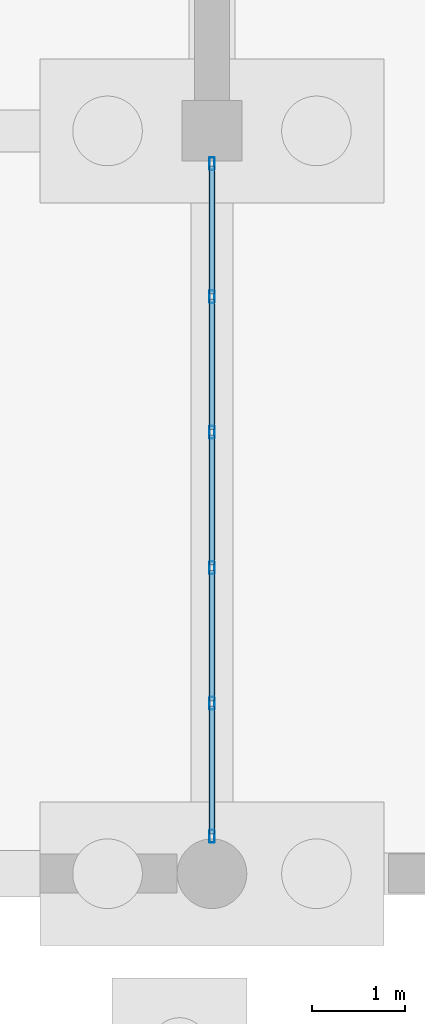
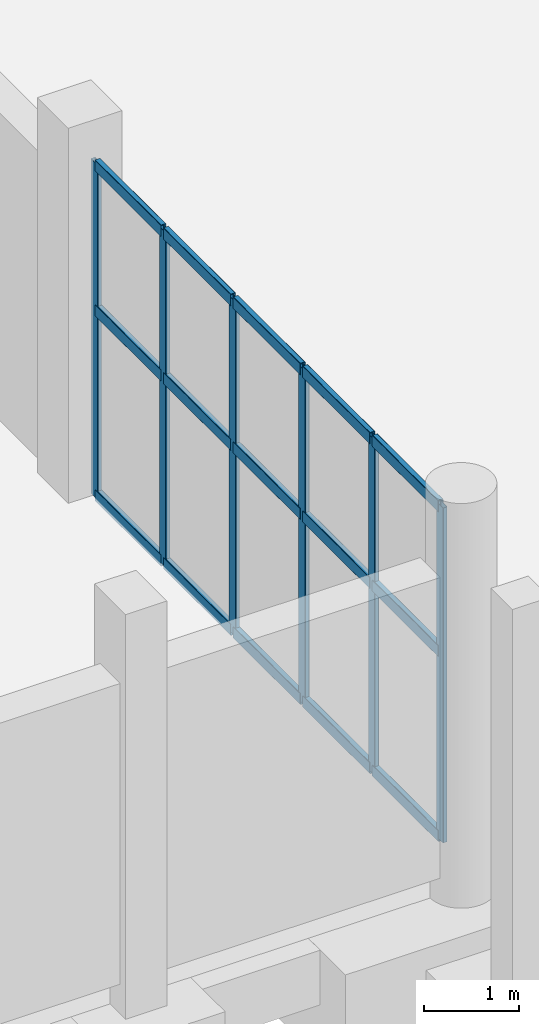
# One storey, part 18 of 52: 21 members, 1 element without a shape of its own.
"""IFC4 building model written with IfcOpenShell, lengths in metres."""

from ifc_helpers import new_model, si_unit, direction, frame, origin, origin_2d, place, context, subcontext, project, spatial, hollow_rectangle, extrude, material, material_profile, profile_set, type_object, element, aggregate, save


model = new_model("IFC4")

# Units and contexts
model_context = context("Model", 3, precision=1e-05, world=origin(), true_north=direction((0.0, 1.0)))
body_context = subcontext(model_context, "Body", "Model", "MODEL_VIEW")
ifc_project = project(units=[si_unit("LENGTHUNIT", "METRE"), si_unit("AREAUNIT", "SQUARE_METRE"), si_unit("VOLUMEUNIT", "CUBIC_METRE"), si_unit("PLANEANGLEUNIT", "RADIAN"), si_unit("MASSUNIT", "GRAM", prefix="KILO")], contexts=[model_context])

# Site, building, storey
site_placement = place(None, origin())
site = spatial("IfcSite", under=ifc_project, at=site_placement, CompositionType="ELEMENT")
building_placement = place(site_placement, origin())
building = spatial("IfcBuilding", under=site, at=building_placement, Name="Luwemba Playhouse", CompositionType="ELEMENT")
storey_placement = place(building_placement, frame((0.0, 0.0, -4.800048828125)))
storey = spatial("IfcBuildingStorey", under=building, at=storey_placement, Name="B1", CompositionType="ELEMENT", Elevation=-4.800048828125)

# Curtain wall, members
ifc_material_1 = material(Name="Solar-control double glazing", Category="glass")
curtain_wall_type = type_object("IfcCurtainWallType", Name="CW-CW02", PredefinedType="USERDEFINED", material=ifc_material_1)
curtain_wall_placement = place(storey_placement, origin())
curtain_wall = element("IfcCurtainWall", 1, at=curtain_wall_placement, inside=storey, type_object=curtain_wall_type, Name="B1 Sunken Forecourt curtain wall 002", ObjectType="UNITISED GLAZING", PredefinedType="USERDEFINED")
ifc_material_2 = material(Name="Aluminium 6063-T6", Category="aluminium")
ifc_material_profile_1 = material_profile(ifc_material_2, hollow_rectangle(XDim=0.054931640625, YDim=0.139892578125, WallThickness=0.00390625, InnerFilletRadius=0.006103515625, OuterFilletRadius=0.010009765625, at=origin_2d()))
ifc_profile_set_1 = profile_set([ifc_material_profile_1], Name="Aluminium 6063-T6")
member_type_1 = type_object("IfcMemberType", Name="CWM-M3", PredefinedType="MULLION", material=ifc_profile_set_1)
member_1_placement = place(storey_placement, frame((60.0, 10.6474609375, 0.0), z_axis=(0.0, 0.0, 1.0), x_axis=(1.0, 0.0, 0.0)))
member_1 = element("IfcMember", 2, at=member_1_placement, type_object=member_type_1, Name="CW02 mullion 1", PredefinedType="MULLION", context=body_context, shape_type="SweptSolid", body=[
    extrude(hollow_rectangle(XDim=0.054931640625, YDim=0.139892578125, WallThickness=0.00390625, InnerFilletRadius=0.006103515625, OuterFilletRadius=0.010009765625, at=origin_2d()), origin(), (0.0, 0.0, 1.0), 4.28515625),
])
member_2_placement = place(storey_placement, frame((60.0, 9.215087890625, 0.0), z_axis=(0.0, 0.0, 1.0), x_axis=(1.0, 0.0, 0.0)))
member_2 = element("IfcMember", 3, at=member_2_placement, type_object=member_type_1, Name="CW02 mullion 2", PredefinedType="MULLION", context=body_context, shape_type="SweptSolid", body=[
    extrude(hollow_rectangle(XDim=0.054931640625, YDim=0.139892578125, WallThickness=0.00390625, InnerFilletRadius=0.006103515625, OuterFilletRadius=0.010009765625, at=origin_2d()), origin(), (0.0, 0.0, 1.0), 4.28515625),
])
member_3_placement = place(storey_placement, frame((60.0, 7.7548828125, 0.0), z_axis=(0.0, 0.0, 1.0), x_axis=(1.0, 0.0, 0.0)))
member_3 = element("IfcMember", 4, at=member_3_placement, type_object=member_type_1, Name="CW02 mullion 3", PredefinedType="MULLION", context=body_context, shape_type="SweptSolid", body=[
    extrude(hollow_rectangle(XDim=0.054931640625, YDim=0.139892578125, WallThickness=0.00390625, InnerFilletRadius=0.006103515625, OuterFilletRadius=0.010009765625, at=origin_2d()), origin(), (0.0, 0.0, 1.0), 4.28515625),
])
member_4_placement = place(storey_placement, frame((60.0, 6.294921875, 0.0), z_axis=(0.0, 0.0, 1.0), x_axis=(1.0, 0.0, 0.0)))
member_4 = element("IfcMember", 5, at=member_4_placement, type_object=member_type_1, Name="CW02 mullion 4", PredefinedType="MULLION", context=body_context, shape_type="SweptSolid", body=[
    extrude(hollow_rectangle(XDim=0.054931640625, YDim=0.139892578125, WallThickness=0.00390625, InnerFilletRadius=0.006103515625, OuterFilletRadius=0.010009765625, at=origin_2d()), origin(), (0.0, 0.0, 1.0), 4.28515625),
])
member_5_placement = place(storey_placement, frame((60.0, 4.8349609375, 0.0), z_axis=(0.0, 0.0, 1.0), x_axis=(1.0, 0.0, 0.0)))
member_5 = element("IfcMember", 6, at=member_5_placement, type_object=member_type_1, Name="CW02 mullion 5", PredefinedType="MULLION", context=body_context, shape_type="SweptSolid", body=[
    extrude(hollow_rectangle(XDim=0.054931640625, YDim=0.139892578125, WallThickness=0.00390625, InnerFilletRadius=0.006103515625, OuterFilletRadius=0.010009765625, at=origin_2d()), origin(), (0.0, 0.0, 1.0), 4.28515625),
])
member_6_placement = place(storey_placement, frame((60.0, 3.402587890625, 0.0), z_axis=(0.0, 0.0, 1.0), x_axis=(1.0, 0.0, 0.0)))
member_6 = element("IfcMember", 7, at=member_6_placement, type_object=member_type_1, Name="CW02 mullion 6", PredefinedType="MULLION", context=body_context, shape_type="SweptSolid", body=[
    extrude(hollow_rectangle(XDim=0.054931640625, YDim=0.139892578125, WallThickness=0.00390625, InnerFilletRadius=0.006103515625, OuterFilletRadius=0.010009765625, at=origin_2d()), origin(), (0.0, 0.0, 1.0), 4.28515625),
])
ifc_material_profile_2 = material_profile(ifc_material_2, hollow_rectangle(XDim=0.06494140625, YDim=0.14990234375, WallThickness=0.00390625, InnerFilletRadius=0.006103515625, OuterFilletRadius=0.010009765625, at=origin_2d()))
ifc_profile_set_2 = profile_set([ifc_material_profile_2], Name="Aluminium 6063-T6")
member_type_2 = type_object("IfcMemberType", Name="CWT-T3", PredefinedType="USERDEFINED", material=ifc_profile_set_2)
member_7_placement = place(storey_placement, frame((60.0, 10.6201171875, 0.032470703125), z_axis=(0.0, -1.0, 0.0), x_axis=(1.0, 0.0, 0.0)))
member_7 = element("IfcMember", 8, at=member_7_placement, type_object=member_type_2, Name="CW02 transom 1.1", ObjectType="TRANSOM", PredefinedType="USERDEFINED", context=body_context, shape_type="SweptSolid", body=[
    extrude(hollow_rectangle(XDim=0.06494140625, YDim=0.14990234375, WallThickness=0.00390625, InnerFilletRadius=0.006103515625, OuterFilletRadius=0.010009765625, at=origin_2d()), origin(), (0.0, 0.0, 1.0), 1.377685546875),
])
member_8_placement = place(storey_placement, frame((60.0, 10.6201171875, 2.400146484375), z_axis=(0.0, -1.0, 0.0), x_axis=(1.0, 0.0, 0.0)))
member_8 = element("IfcMember", 9, at=member_8_placement, type_object=member_type_2, Name="CW02 transom 1.2", ObjectType="TRANSOM", PredefinedType="USERDEFINED", context=body_context, shape_type="SweptSolid", body=[
    extrude(hollow_rectangle(XDim=0.06494140625, YDim=0.14990234375, WallThickness=0.00390625, InnerFilletRadius=0.006103515625, OuterFilletRadius=0.010009765625, at=origin_2d()), origin(), (0.0, 0.0, 1.0), 1.377685546875),
])
member_9_placement = place(storey_placement, frame((60.0, 10.6201171875, 4.25244140625), z_axis=(0.0, -1.0, 0.0), x_axis=(1.0, 0.0, 0.0)))
member_9 = element("IfcMember", 10, at=member_9_placement, type_object=member_type_2, Name="CW02 transom 1.3", ObjectType="TRANSOM", PredefinedType="USERDEFINED", context=body_context, shape_type="SweptSolid", body=[
    extrude(hollow_rectangle(XDim=0.06494140625, YDim=0.14990234375, WallThickness=0.00390625, InnerFilletRadius=0.006103515625, OuterFilletRadius=0.010009765625, at=origin_2d()), origin(), (0.0, 0.0, 1.0), 1.377685546875),
])
member_10_placement = place(storey_placement, frame((60.0, 9.1875, 0.032470703125), z_axis=(0.0, -1.0, 0.0), x_axis=(1.0, 0.0, 0.0)))
member_10 = element("IfcMember", 11, at=member_10_placement, type_object=member_type_2, Name="CW02 transom 2.1", ObjectType="TRANSOM", PredefinedType="USERDEFINED", context=body_context, shape_type="SweptSolid", body=[
    extrude(hollow_rectangle(XDim=0.06494140625, YDim=0.14990234375, WallThickness=0.00390625, InnerFilletRadius=0.006103515625, OuterFilletRadius=0.010009765625, at=origin_2d()), origin(), (0.0, 0.0, 1.0), 1.405029296875),
])
member_11_placement = place(storey_placement, frame((60.0, 9.1875, 2.400146484375), z_axis=(0.0, -1.0, 0.0), x_axis=(1.0, 0.0, 0.0)))
member_11 = element("IfcMember", 12, at=member_11_placement, type_object=member_type_2, Name="CW02 transom 2.2", ObjectType="TRANSOM", PredefinedType="USERDEFINED", context=body_context, shape_type="SweptSolid", body=[
    extrude(hollow_rectangle(XDim=0.06494140625, YDim=0.14990234375, WallThickness=0.00390625, InnerFilletRadius=0.006103515625, OuterFilletRadius=0.010009765625, at=origin_2d()), origin(), (0.0, 0.0, 1.0), 1.405029296875),
])
member_12_placement = place(storey_placement, frame((60.0, 9.1875, 4.25244140625), z_axis=(0.0, -1.0, 0.0), x_axis=(1.0, 0.0, 0.0)))
member_12 = element("IfcMember", 13, at=member_12_placement, type_object=member_type_2, Name="CW02 transom 2.3", ObjectType="TRANSOM", PredefinedType="USERDEFINED", context=body_context, shape_type="SweptSolid", body=[
    extrude(hollow_rectangle(XDim=0.06494140625, YDim=0.14990234375, WallThickness=0.00390625, InnerFilletRadius=0.006103515625, OuterFilletRadius=0.010009765625, at=origin_2d()), origin(), (0.0, 0.0, 1.0), 1.405029296875),
])
member_13_placement = place(storey_placement, frame((60.0, 7.7275390625, 0.032470703125), z_axis=(0.0, -1.0, 0.0), x_axis=(1.0, 0.0, 0.0)))
member_13 = element("IfcMember", 14, at=member_13_placement, type_object=member_type_2, Name="CW02 transom 3.1", ObjectType="TRANSOM", PredefinedType="USERDEFINED", context=body_context, shape_type="SweptSolid", body=[
    extrude(hollow_rectangle(XDim=0.06494140625, YDim=0.14990234375, WallThickness=0.00390625, InnerFilletRadius=0.006103515625, OuterFilletRadius=0.010009765625, at=origin_2d()), origin(), (0.0, 0.0, 1.0), 1.405029296875),
])
member_14_placement = place(storey_placement, frame((60.0, 7.7275390625, 2.400146484375), z_axis=(0.0, -1.0, 0.0), x_axis=(1.0, 0.0, 0.0)))
member_14 = element("IfcMember", 15, at=member_14_placement, type_object=member_type_2, Name="CW02 transom 3.2", ObjectType="TRANSOM", PredefinedType="USERDEFINED", context=body_context, shape_type="SweptSolid", body=[
    extrude(hollow_rectangle(XDim=0.06494140625, YDim=0.14990234375, WallThickness=0.00390625, InnerFilletRadius=0.006103515625, OuterFilletRadius=0.010009765625, at=origin_2d()), origin(), (0.0, 0.0, 1.0), 1.405029296875),
])
member_15_placement = place(storey_placement, frame((60.0, 7.7275390625, 4.25244140625), z_axis=(0.0, -1.0, 0.0), x_axis=(1.0, 0.0, 0.0)))
member_15 = element("IfcMember", 16, at=member_15_placement, type_object=member_type_2, Name="CW02 transom 3.3", ObjectType="TRANSOM", PredefinedType="USERDEFINED", context=body_context, shape_type="SweptSolid", body=[
    extrude(hollow_rectangle(XDim=0.06494140625, YDim=0.14990234375, WallThickness=0.00390625, InnerFilletRadius=0.006103515625, OuterFilletRadius=0.010009765625, at=origin_2d()), origin(), (0.0, 0.0, 1.0), 1.405029296875),
])
member_16_placement = place(storey_placement, frame((60.0, 6.267578125, 0.032470703125), z_axis=(0.0, -1.0, 0.0), x_axis=(1.0, 0.0, 0.0)))
member_16 = element("IfcMember", 17, at=member_16_placement, type_object=member_type_2, Name="CW02 transom 4.1", ObjectType="TRANSOM", PredefinedType="USERDEFINED", context=body_context, shape_type="SweptSolid", body=[
    extrude(hollow_rectangle(XDim=0.06494140625, YDim=0.14990234375, WallThickness=0.00390625, InnerFilletRadius=0.006103515625, OuterFilletRadius=0.010009765625, at=origin_2d()), origin(), (0.0, 0.0, 1.0), 1.405029296875),
])
member_17_placement = place(storey_placement, frame((60.0, 6.267578125, 2.400146484375), z_axis=(0.0, -1.0, 0.0), x_axis=(1.0, 0.0, 0.0)))
member_17 = element("IfcMember", 18, at=member_17_placement, type_object=member_type_2, Name="CW02 transom 4.2", ObjectType="TRANSOM", PredefinedType="USERDEFINED", context=body_context, shape_type="SweptSolid", body=[
    extrude(hollow_rectangle(XDim=0.06494140625, YDim=0.14990234375, WallThickness=0.00390625, InnerFilletRadius=0.006103515625, OuterFilletRadius=0.010009765625, at=origin_2d()), origin(), (0.0, 0.0, 1.0), 1.405029296875),
])
member_18_placement = place(storey_placement, frame((60.0, 6.267578125, 4.25244140625), z_axis=(0.0, -1.0, 0.0), x_axis=(1.0, 0.0, 0.0)))
member_18 = element("IfcMember", 19, at=member_18_placement, type_object=member_type_2, Name="CW02 transom 4.3", ObjectType="TRANSOM", PredefinedType="USERDEFINED", context=body_context, shape_type="SweptSolid", body=[
    extrude(hollow_rectangle(XDim=0.06494140625, YDim=0.14990234375, WallThickness=0.00390625, InnerFilletRadius=0.006103515625, OuterFilletRadius=0.010009765625, at=origin_2d()), origin(), (0.0, 0.0, 1.0), 1.405029296875),
])
member_19_placement = place(storey_placement, frame((60.0, 4.8076171875, 0.032470703125), z_axis=(0.0, -1.0, 0.0), x_axis=(1.0, 0.0, 0.0)))
member_19 = element("IfcMember", 20, at=member_19_placement, type_object=member_type_2, Name="CW02 transom 5.1", ObjectType="TRANSOM", PredefinedType="USERDEFINED", context=body_context, shape_type="SweptSolid", body=[
    extrude(hollow_rectangle(XDim=0.06494140625, YDim=0.14990234375, WallThickness=0.00390625, InnerFilletRadius=0.006103515625, OuterFilletRadius=0.010009765625, at=origin_2d()), origin(), (0.0, 0.0, 1.0), 1.377685546875),
])
member_20_placement = place(storey_placement, frame((60.0, 4.8076171875, 2.400146484375), z_axis=(0.0, -1.0, 0.0), x_axis=(1.0, 0.0, 0.0)))
member_20 = element("IfcMember", 21, at=member_20_placement, type_object=member_type_2, Name="CW02 transom 5.2", ObjectType="TRANSOM", PredefinedType="USERDEFINED", context=body_context, shape_type="SweptSolid", body=[
    extrude(hollow_rectangle(XDim=0.06494140625, YDim=0.14990234375, WallThickness=0.00390625, InnerFilletRadius=0.006103515625, OuterFilletRadius=0.010009765625, at=origin_2d()), origin(), (0.0, 0.0, 1.0), 1.377685546875),
])
member_21_placement = place(storey_placement, frame((60.0, 4.8076171875, 4.25244140625), z_axis=(0.0, -1.0, 0.0), x_axis=(1.0, 0.0, 0.0)))
member_21 = element("IfcMember", 22, at=member_21_placement, type_object=member_type_2, Name="CW02 transom 5.3", ObjectType="TRANSOM", PredefinedType="USERDEFINED", context=body_context, shape_type="SweptSolid", body=[
    extrude(hollow_rectangle(XDim=0.06494140625, YDim=0.14990234375, WallThickness=0.00390625, InnerFilletRadius=0.006103515625, OuterFilletRadius=0.010009765625, at=origin_2d()), origin(), (0.0, 0.0, 1.0), 1.377685546875),
])
aggregate(curtain_wall, [member_1, member_2, member_3, member_4, member_5, member_6, member_7, member_8, member_9, member_10, member_11, member_12, member_13, member_14, member_15, member_16, member_17, member_18, member_19, member_20, member_21])

save(model, "model.ifc")
